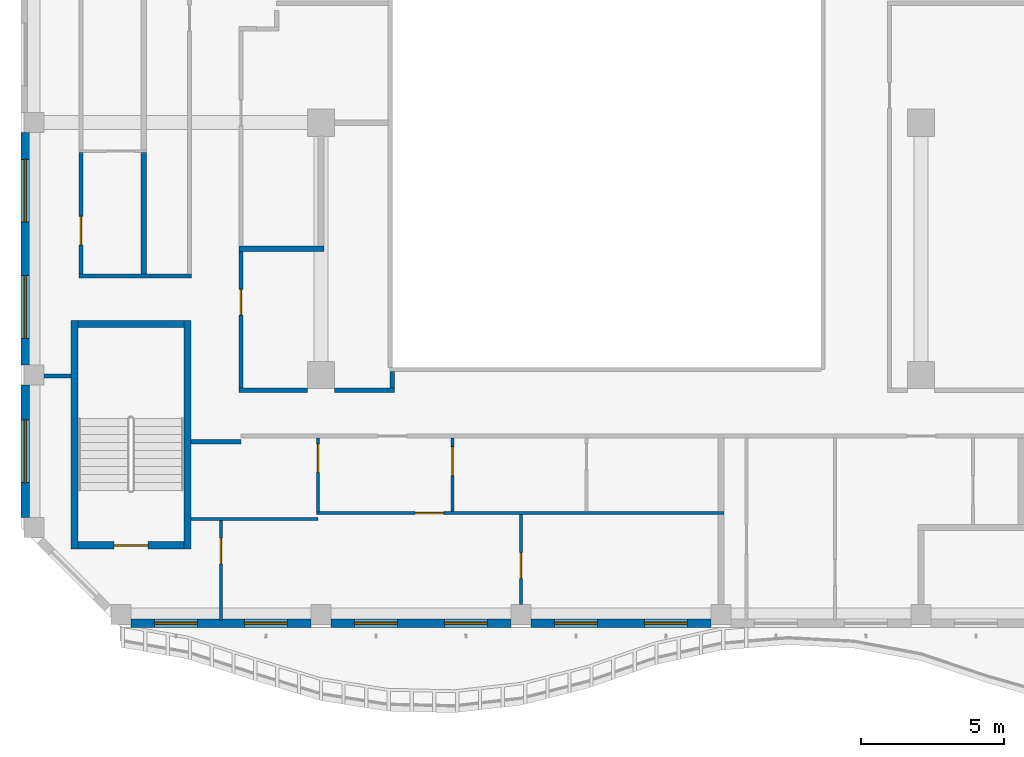
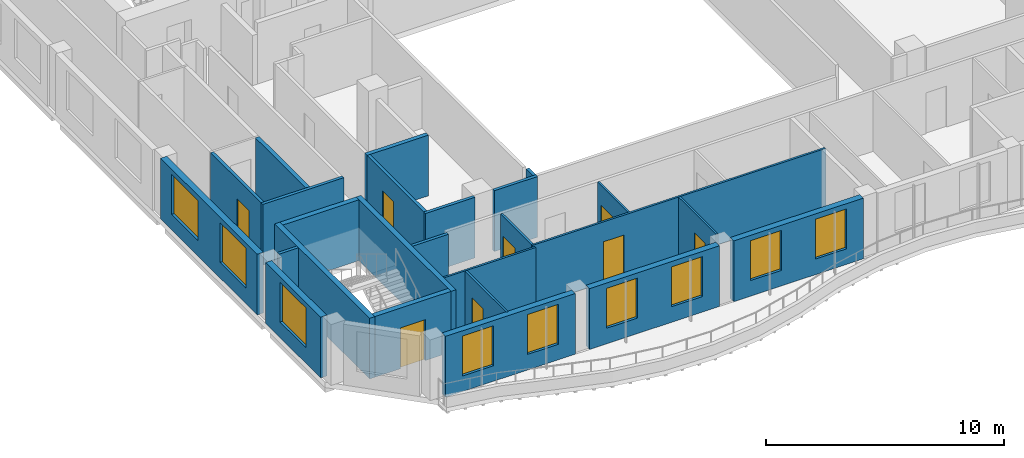
# One storey, part 2 of 19: 25 walls, 9 windows, 8 doors, 17 openings.
"""IFC4 building model written with IfcOpenShell, lengths in metres."""

from ifc_helpers import new_model, si_unit, direction, frame, frame_2d, origin, place, context, subcontext, project, spatial, rectangle, extrude, source, transform, mapped, material, layer, layer_set, type_object, element, fill, save


model = new_model("IFC4")

# Units and contexts
model_context = context("Model", 3, precision=1e-05, world=origin(), true_north=direction((0.0, 1.0)))
body_context = subcontext(model_context, "Body", "Model", "MODEL_VIEW")
ifc_project = project(units=[si_unit("LENGTHUNIT", "METRE"), si_unit("AREAUNIT", "SQUARE_METRE"), si_unit("VOLUMEUNIT", "CUBIC_METRE"), si_unit("PLANEANGLEUNIT", "RADIAN"), si_unit("MASSUNIT", "GRAM", prefix="KILO")], contexts=[model_context])

# Site, building, storey
site_placement = place(None, origin())
site = spatial("IfcSite", under=ifc_project, at=site_placement, CompositionType="ELEMENT")
building_placement = place(site_placement, origin())
building = spatial("IfcBuilding", under=site, at=building_placement, Name="Kilnfold Tower and Market Hall", CompositionType="ELEMENT")
storey_placement = place(building_placement, frame((0.0, 0.0, 242.39990234375)))
storey = spatial("IfcBuildingStorey", under=building, at=storey_placement, Name="L58", CompositionType="ELEMENT", Elevation=242.39990234375)

# Wall, opening, door
ifc_material_1 = material(Name="Gypsum board on steel studs", Category="steel")
ifc_layer_1 = layer(ifc_material_1, 0.14990234375)
ifc_layer_set_1 = layer_set([ifc_layer_1], Name="Gypsum board on steel studs")
wall_type_1 = type_object("IfcWallType", Name="WALL CORRIDOR 150", PredefinedType="PARTITIONING", material=ifc_layer_set_1)
wall_1_placement = place(storey_placement, frame((-17.39990234375, -6.125, 0.0), z_axis=(0.0, 0.0, 1.0), x_axis=(0.0, 1.0, 0.0)))
wall_1 = element("IfcWall", 1, at=wall_1_placement, inside=storey, type_object=wall_type_1, Name="Partition LY35.1", PredefinedType="PARTITIONING", context=body_context, shape_type="SweptSolid", body=[
    extrude(rectangle(XDim=4.25390625, YDim=0.14990234375, at=frame_2d((2.126953125, 0.0))), origin(), (0.0, 0.0, 1.0), 3.1201171875),
])
opening_1_placement = place(wall_1_placement, frame((1.014892578125, 0.0, 0.0)))
opening_1 = element("IfcOpeningElement", 2, at=opening_1_placement, cuts=wall_1, Name="Opening D1", PredefinedType="OPENING", context=body_context, shape_type="SweptSolid", body=[
    extrude(rectangle(XDim=1.0, YDim=2.10009765625, at=frame_2d((0.5, 1.050048828125))), frame((0.0, 0.0849609375, 0.0), z_axis=(0.0, -1.0, 0.0), x_axis=(1.0, 0.0, 0.0)), (0.0, 0.0, 1.0), 0.169921875),
])
ifc_material_2 = material(Name="Timber veneer door leaf in steel frame", Category="steel")
door_type_1 = type_object("IfcDoorType", Name="DOOR ENTRY 1000 X2100", OperationType="NOTDEFINED", PredefinedType="DOOR", material=ifc_material_2)
door_1_placement = place(opening_1_placement, origin())
door_1 = element("IfcDoor", 3, at=door_1_placement, inside=storey, type_object=door_type_1, Name="Door D1", OperationType="SINGLE_SWING_LEFT", OverallHeight=2.10009765625, OverallWidth=1.0, PredefinedType="DOOR", context=body_context, shape_type="SweptSolid", body=[
    extrude(rectangle(XDim=1.0, YDim=2.10009765625, at=frame_2d((0.5, 1.050048828125))), frame((0.0, 0.02490234375, 0.0), z_axis=(0.0, -1.0, 0.0), x_axis=(1.0, 0.0, 0.0)), (0.0, 0.0, 1.0), 0.050048828125),
])
fill(opening_1, door_1)

# Walls
wall_2_placement = place(storey_placement, frame((-17.47509765625, -6.199951171875, 0.0), z_axis=(0.0, 0.0, 1.0), x_axis=(1.0, 0.0, 0.0)))
element("IfcWall", 4, at=wall_2_placement, inside=storey, type_object=wall_type_1, Name="Partition LY35.2", PredefinedType="PARTITIONING", context=body_context, shape_type="SweptSolid", body=[
    extrude(rectangle(XDim=3.9501953125, YDim=0.14990234375, at=frame_2d((1.97509765625, 0.0))), origin(), (0.0, 0.0, 1.0), 3.1201171875),
])
wall_3_placement = place(storey_placement, frame((-13.550048828125, -12.0, 0.0), z_axis=(0.0, 0.0, 1.0), x_axis=(1.0, 0.0, 0.0)))
element("IfcWall", 5, at=wall_3_placement, inside=storey, type_object=wall_type_1, Name="Partition LY35.10", PredefinedType="PARTITIONING", context=body_context, shape_type="SweptSolid", body=[
    extrude(rectangle(XDim=1.75, YDim=0.14990234375, at=frame_2d((0.875, 0.0))), origin(), (0.0, 0.0, 1.0), 3.1201171875),
])
wall_4_placement = place(storey_placement, frame((-18.699951171875, -9.699951171875, 0.0), z_axis=(0.0, 0.0, 1.0), x_axis=(1.0, 0.0, 0.0)))
element("IfcWall", 6, at=wall_4_placement, inside=storey, type_object=wall_type_1, Name="Partition LY35.11", PredefinedType="PARTITIONING", context=body_context, shape_type="SweptSolid", body=[
    extrude(rectangle(XDim=0.949951171875, YDim=0.14990234375, at=frame_2d((0.47509765625, 0.0))), origin(), (0.0, 0.0, 1.0), 3.1201171875),
])

# Wall, opening, door
wall_5_placement = place(storey_placement, frame((-11.800048828125, -10.125, 0.0), z_axis=(0.0, 0.0, 1.0), x_axis=(0.0, 1.0, 0.0)))
wall_5 = element("IfcWall", 7, at=wall_5_placement, inside=storey, type_object=wall_type_1, Name="Partition LY35.36", PredefinedType="PARTITIONING", context=body_context, shape_type="SweptSolid", body=[
    extrude(rectangle(XDim=4.784912109375, YDim=0.14990234375, at=frame_2d((2.392578125, 0.0))), origin(), (0.0, 0.0, 1.0), 3.1201171875),
])
opening_2_placement = place(wall_5_placement, frame((2.55810546875, 0.0, 0.0)))
opening_2 = element("IfcOpeningElement", 8, at=opening_2_placement, cuts=wall_5, Name="Opening D2", PredefinedType="OPENING", context=body_context, shape_type="SweptSolid", body=[
    extrude(rectangle(XDim=0.89990234375, YDim=2.10009765625, at=frame_2d((0.449951171875, 1.050048828125))), frame((0.0, 0.0849609375, 0.0), z_axis=(0.0, -1.0, 0.0), x_axis=(1.0, 0.0, 0.0)), (0.0, 0.0, 1.0), 0.169921875),
])
ifc_material_3 = material(Name="Timber veneer door leaf in steel frame", Category="steel")
door_type_2 = type_object("IfcDoorType", Name="DOOR ROOM 900 X2100", OperationType="NOTDEFINED", PredefinedType="DOOR", material=ifc_material_3)
door_2_placement = place(opening_2_placement, origin())
door_2 = element("IfcDoor", 9, at=door_2_placement, inside=storey, type_object=door_type_2, Name="Door D2", OperationType="SINGLE_SWING_RIGHT", OverallHeight=2.10009765625, OverallWidth=0.89990234375, PredefinedType="DOOR", context=body_context, shape_type="SweptSolid", body=[
    extrude(rectangle(XDim=0.89990234375, YDim=2.10009765625, at=frame_2d((0.449951171875, 1.050048828125))), frame((0.0, 0.02490234375, 0.0), z_axis=(0.0, -1.0, 0.0), x_axis=(1.0, 0.0, 0.0)), (0.0, 0.0, 1.0), 0.050048828125),
])
fill(opening_2, door_2)

# Walls
wall_6_placement = place(storey_placement, frame((-8.52490234375, -10.199951171875, 0.0), z_axis=(0.0, 0.0, 1.0), x_axis=(1.0, 0.0, 0.0)))
element("IfcWall", 10, at=wall_6_placement, inside=storey, type_object=wall_type_1, Name="Partition LY35.37", PredefinedType="PARTITIONING", context=body_context, shape_type="SweptSolid", body=[
    extrude(rectangle(XDim=2.099853515625, YDim=0.14990234375, at=frame_2d((1.0498046875, 0.0))), origin(), (0.0, 0.0, 1.0), 3.1201171875),
])
wall_7_placement = place(storey_placement, frame((-11.875, -10.199951171875, 0.0), z_axis=(0.0, 0.0, 1.0), x_axis=(1.0, 0.0, 0.0)))
element("IfcWall", 11, at=wall_7_placement, inside=storey, type_object=wall_type_1, Name="Partition LY35.38", PredefinedType="PARTITIONING", context=body_context, shape_type="SweptSolid", body=[
    extrude(rectangle(XDim=2.39990234375, YDim=0.14990234375, at=frame_2d((1.199951171875, 0.0))), origin(), (0.0, 0.0, 1.0), 3.1201171875),
])
wall_8_placement = place(storey_placement, frame((-6.5, -9.550048828125, 0.0), z_axis=(0.0, 0.0, 1.0), x_axis=(0.0, -1.0, 0.0)))
element("IfcWall", 12, at=wall_8_placement, inside=storey, type_object=wall_type_1, Name="Partition LY35.39", PredefinedType="PARTITIONING", context=body_context, shape_type="SweptSolid", body=[
    extrude(rectangle(XDim=0.574951171875, YDim=0.14990234375, at=frame_2d((0.28759765625, 0.0))), origin(), (0.0, 0.0, 1.0), 3.1201171875),
])

# Wall, opening, door
ifc_material_4 = material(Name="Gypsum board on steel studs", Category="steel")
ifc_layer_2 = layer(ifc_material_4, 0.10009765625)
ifc_layer_set_2 = layer_set([ifc_layer_2], Name="Gypsum board on steel studs")
wall_type_2 = type_object("IfcWallType", Name="WALL PARTITION 100", PredefinedType="PARTITIONING", material=ifc_layer_set_2)
wall_9_placement = place(storey_placement, frame((-9.10009765625, -14.4599609375, 0.0), z_axis=(0.0, 0.0, 1.0), x_axis=(0.0, 1.0, 0.0)))
wall_9 = element("IfcWall", 13, at=wall_9_placement, inside=storey, type_object=wall_type_2, Name="Partition LY35.54", PredefinedType="PARTITIONING", context=body_context, shape_type="SweptSolid", body=[
    extrude(rectangle(XDim=2.5830078125, YDim=0.10009765625, at=frame_2d((1.29150390625, 0.0))), origin(), (0.0, 0.0, 1.0), 3.1201171875),
])
opening_3_placement = place(wall_9_placement, frame((1.383056640625, 0.0, 0.0)))
opening_3 = element("IfcOpeningElement", 14, at=opening_3_placement, cuts=wall_9, Name="Opening D1", PredefinedType="OPENING", context=body_context, shape_type="SweptSolid", body=[
    extrude(rectangle(XDim=1.0, YDim=2.10009765625, at=frame_2d((0.5, 1.050048828125))), frame((0.0, 0.06005859375, 0.0), z_axis=(0.0, -1.0, 0.0), x_axis=(1.0, 0.0, 0.0)), (0.0, 0.0, 1.0), 0.1201171875),
])
door_3_placement = place(opening_3_placement, origin())
door_3 = element("IfcDoor", 15, at=door_3_placement, inside=storey, type_object=door_type_1, Name="Door D1", OperationType="SINGLE_SWING_LEFT", OverallHeight=2.10009765625, OverallWidth=1.0, PredefinedType="DOOR", context=body_context, shape_type="SweptSolid", body=[
    extrude(rectangle(XDim=1.0, YDim=2.10009765625, at=frame_2d((0.5, 1.050048828125))), frame((0.0, 0.02490234375, 0.0), z_axis=(0.0, -1.0, 0.0), x_axis=(1.0, 0.0, 0.0)), (0.0, 0.0, 1.0), 0.050048828125),
])
fill(opening_3, door_3)

# Wall
wall_10_placement = place(storey_placement, frame((-13.550048828125, -14.699951171875, 0.0), z_axis=(0.0, 0.0, 1.0), x_axis=(1.0, 0.0, 0.0)))
element("IfcWall", 16, at=wall_10_placement, inside=storey, type_object=wall_type_2, Name="Partition LY35.55", PredefinedType="PARTITIONING", context=body_context, shape_type="SweptSolid", body=[
    extrude(rectangle(XDim=4.449951171875, YDim=0.10009765625, at=frame_2d((2.22509765625, 0.0))), origin(), (0.0, 0.0, 1.0), 3.1201171875),
])

# Wall, opening, door
wall_11_placement = place(storey_placement, frame((-4.39990234375, -14.449951171875, 0.0), z_axis=(0.0, 0.0, 1.0), x_axis=(0.0, 1.0, 0.0)))
wall_11 = element("IfcWall", 17, at=wall_11_placement, inside=storey, type_object=wall_type_2, Name="Partition LY35.56", PredefinedType="PARTITIONING", context=body_context, shape_type="SweptSolid", body=[
    extrude(rectangle(XDim=2.572998046875, YDim=0.10009765625, at=frame_2d((1.28662109375, 0.0))), origin(), (0.0, 0.0, 1.0), 3.1201171875),
])
opening_4_placement = place(wall_11_placement, frame((1.26611328125, 0.0, 0.0)))
opening_4 = element("IfcOpeningElement", 18, at=opening_4_placement, cuts=wall_11, Name="Opening D1", PredefinedType="OPENING", context=body_context, shape_type="SweptSolid", body=[
    extrude(rectangle(XDim=1.0, YDim=2.10009765625, at=frame_2d((0.5, 1.050048828125))), frame((0.0, 0.06005859375, 0.0), z_axis=(0.0, -1.0, 0.0), x_axis=(1.0, 0.0, 0.0)), (0.0, 0.0, 1.0), 0.1201171875),
])
door_4_placement = place(opening_4_placement, origin())
door_4 = element("IfcDoor", 19, at=door_4_placement, inside=storey, type_object=door_type_1, Name="Door D1", OperationType="SINGLE_SWING_LEFT", OverallHeight=2.10009765625, OverallWidth=1.0, PredefinedType="DOOR", context=body_context, shape_type="SweptSolid", body=[
    extrude(rectangle(XDim=1.0, YDim=2.10009765625, at=frame_2d((0.5, 1.050048828125))), frame((0.0, 0.02490234375, 0.0), z_axis=(0.0, -1.0, 0.0), x_axis=(1.0, 0.0, 0.0)), (0.0, 0.0, 1.0), 0.050048828125),
])
fill(opening_4, door_4)

wall_12_placement = place(storey_placement, frame((-9.14990234375, -14.5, 0.0), z_axis=(0.0, 0.0, 1.0), x_axis=(1.0, 0.0, 0.0)))
wall_12 = element("IfcWall", 20, at=wall_12_placement, inside=storey, type_object=wall_type_2, Name="Partition LY35.57", PredefinedType="PARTITIONING", context=body_context, shape_type="SweptSolid", body=[
    extrude(rectangle(XDim=14.25, YDim=0.10009765625, at=frame_2d((7.125, 0.0))), origin(), (0.0, 0.0, 1.0), 3.1201171875),
])
opening_5_placement = place(wall_12_placement, frame((3.447998046875, 0.0, 0.0)))
opening_5 = element("IfcOpeningElement", 21, at=opening_5_placement, cuts=wall_12, Name="Opening D1", PredefinedType="OPENING", context=body_context, shape_type="SweptSolid", body=[
    extrude(rectangle(XDim=1.0, YDim=2.10009765625, at=frame_2d((0.5, 1.050048828125))), frame((0.0, 0.06005859375, 0.0), z_axis=(0.0, -1.0, 0.0), x_axis=(1.0, 0.0, 0.0)), (0.0, 0.0, 1.0), 0.1201171875),
])
door_5_placement = place(opening_5_placement, origin())
door_5 = element("IfcDoor", 22, at=door_5_placement, inside=storey, type_object=door_type_1, Name="Door D1", OperationType="SINGLE_SWING_LEFT", OverallHeight=2.10009765625, OverallWidth=1.0, PredefinedType="DOOR", context=body_context, shape_type="SweptSolid", body=[
    extrude(rectangle(XDim=1.0, YDim=2.10009765625, at=frame_2d((0.5, 1.050048828125))), frame((0.0, 0.02490234375, 0.0), z_axis=(0.0, -1.0, 0.0), x_axis=(1.0, 0.0, 0.0)), (0.0, 0.0, 1.0), 0.050048828125),
])
fill(opening_5, door_5)

wall_13_placement = place(storey_placement, frame((-12.5, -18.25, 0.0), z_axis=(0.0, 0.0, 1.0), x_axis=(0.0, 1.0, 0.0)))
wall_13 = element("IfcWall", 23, at=wall_13_placement, inside=storey, type_object=wall_type_2, Name="Partition LY35.60", PredefinedType="PARTITIONING", context=body_context, shape_type="SweptSolid", body=[
    extrude(rectangle(XDim=3.498046875, YDim=0.10009765625, at=frame_2d((1.7490234375, 0.0))), origin(), (0.0, 0.0, 1.0), 3.1201171875),
])
opening_6_placement = place(wall_13_placement, frame((1.97900390625, 0.0, 0.0)))
opening_6 = element("IfcOpeningElement", 24, at=opening_6_placement, cuts=wall_13, Name="Opening D2", PredefinedType="OPENING", context=body_context, shape_type="SweptSolid", body=[
    extrude(rectangle(XDim=0.89990234375, YDim=2.10009765625, at=frame_2d((0.449951171875, 1.050048828125))), frame((0.0, 0.06005859375, 0.0), z_axis=(0.0, -1.0, 0.0), x_axis=(1.0, 0.0, 0.0)), (0.0, 0.0, 1.0), 0.1201171875),
])
door_6_placement = place(opening_6_placement, origin())
door_6 = element("IfcDoor", 25, at=door_6_placement, inside=storey, type_object=door_type_2, Name="Door D2", OperationType="SINGLE_SWING_LEFT", OverallHeight=2.10009765625, OverallWidth=0.89990234375, PredefinedType="DOOR", context=body_context, shape_type="SweptSolid", body=[
    extrude(rectangle(XDim=0.89990234375, YDim=2.10009765625, at=frame_2d((0.449951171875, 1.050048828125))), frame((0.0, 0.02490234375, 0.0), z_axis=(0.0, -1.0, 0.0), x_axis=(1.0, 0.0, 0.0)), (0.0, 0.0, 1.0), 0.050048828125),
])
fill(opening_6, door_6)

wall_14_placement = place(storey_placement, frame((-2.0, -17.699951171875, 0.0), z_axis=(0.0, 0.0, 1.0), x_axis=(0.0, 1.0, 0.0)))
wall_14 = element("IfcWall", 26, at=wall_14_placement, inside=storey, type_object=wall_type_2, Name="Partition LY35.61", PredefinedType="PARTITIONING", context=body_context, shape_type="SweptSolid", body=[
    extrude(rectangle(XDim=3.14794921875, YDim=0.10009765625, at=frame_2d((1.573974609375, 0.0))), origin(), (0.0, 0.0, 1.0), 3.1201171875),
])
opening_7_placement = place(wall_14_placement, frame((0.9189453125, 0.0, 0.0)))
opening_7 = element("IfcOpeningElement", 27, at=opening_7_placement, cuts=wall_14, Name="Opening D2", PredefinedType="OPENING", context=body_context, shape_type="SweptSolid", body=[
    extrude(rectangle(XDim=0.89990234375, YDim=2.10009765625, at=frame_2d((0.449951171875, 1.050048828125))), frame((0.0, 0.06005859375, 0.0), z_axis=(0.0, -1.0, 0.0), x_axis=(1.0, 0.0, 0.0)), (0.0, 0.0, 1.0), 0.1201171875),
])
door_7_placement = place(opening_7_placement, origin())
door_7 = element("IfcDoor", 28, at=door_7_placement, inside=storey, type_object=door_type_2, Name="Door D2", OperationType="SINGLE_SWING_RIGHT", OverallHeight=2.10009765625, OverallWidth=0.89990234375, PredefinedType="DOOR", context=body_context, shape_type="SweptSolid", body=[
    extrude(rectangle(XDim=0.89990234375, YDim=2.10009765625, at=frame_2d((0.449951171875, 1.050048828125))), frame((0.0, 0.02490234375, 0.0), z_axis=(0.0, -1.0, 0.0), x_axis=(1.0, 0.0, 0.0)), (0.0, 0.0, 1.0), 0.050048828125),
])
fill(opening_7, door_7)

# Walls
ifc_material_5 = material(Name="Gypsum board on steel studs", Category="steel")
ifc_layer_3 = layer(ifc_material_5, 0.199951171875)
ifc_layer_set_3 = layer_set([ifc_layer_3], Name="Gypsum board on steel studs")
wall_type_3 = type_object("IfcWallType", Name="WALL PARTY 200", PredefinedType="PARTITIONING", material=ifc_layer_set_3)
wall_15_placement = place(storey_placement, frame((-15.199951171875, -6.123046875, 0.0), z_axis=(0.0, 0.0, 1.0), x_axis=(0.0, 1.0, 0.0)))
element("IfcWall", 29, at=wall_15_placement, inside=storey, type_object=wall_type_3, Name="Partition LY35.49", PredefinedType="PARTITIONING", context=body_context, shape_type="SweptSolid", body=[
    extrude(rectangle(XDim=4.241943359375, YDim=0.199951171875, at=frame_2d((2.12109375, 0.0))), origin(), (0.0, 0.0, 1.0), 3.1201171875),
])
wall_16_placement = place(storey_placement, frame((-11.873046875, -5.25, 0.0), z_axis=(0.0, 0.0, 1.0), x_axis=(1.0, 0.0, 0.0)))
element("IfcWall", 30, at=wall_16_placement, inside=storey, type_object=wall_type_3, Name="Partition LY35.107", PredefinedType="PARTITIONING", context=body_context, shape_type="SweptSolid", body=[
    extrude(rectangle(XDim=2.97314453125, YDim=0.199951171875, at=frame_2d((1.486572265625, 0.0))), origin(), (0.0, 0.0, 1.0), 3.1201171875),
])

# Wall, opening, door
ifc_material_6 = material(Name="Concrete C60", Category="concrete")
ifc_layer_4 = layer(ifc_material_6, 0.25)
ifc_layer_set_4 = layer_set([ifc_layer_4], Name="Concrete C60")
wall_type_4 = type_object("IfcWallType", Name="CORE WALL 250 C60", PredefinedType="SHEAR", material=ifc_layer_set_4)
shared_shape_1 = source(origin(), body_context, "Body", "SweptSolid", [
    extrude(rectangle(XDim=3.699951171875, YDim=0.25, at=frame_2d((1.85009765625, 0.0))), origin(), (0.0, 0.0, 1.0), 3.1201171875),
])
wall_17_placement = place(storey_placement, frame((-17.5, -15.625, 0.0), z_axis=(0.0, 0.0, 1.0), x_axis=(1.0, 0.0, 0.0)))
wall_17 = element("IfcWall", 31, at=wall_17_placement, inside=storey, type_object=wall_type_4, Name="Stair enclosure ST3", PredefinedType="SHEAR", context=body_context, shape_type="MappedRepresentation", body=[
    mapped(shared_shape_1, transform((0.0, 0.0, 0.0))),
])
opening_8_placement = place(wall_17_placement, frame((1.25, 0.0, 0.0)))
opening_8 = element("IfcOpeningElement", 32, at=opening_8_placement, cuts=wall_17, Name="Opening SD1", PredefinedType="OPENING", context=body_context, shape_type="SweptSolid", body=[
    extrude(rectangle(XDim=1.199951171875, YDim=2.10009765625, at=frame_2d((0.60009765625, 1.050048828125))), frame((0.0, 0.135009765625, 0.0), z_axis=(0.0, -1.0, 0.0), x_axis=(1.0, 0.0, 0.0)), (0.0, 0.0, 1.0), 0.27001953125),
])
ifc_material_7 = material(Name="Steel door set with fire-resisting leaf", Category="steel")
door_type_3 = type_object("IfcDoorType", Name="STAIR FLOOR DOOR 1200X2100", OperationType="NOTDEFINED", PredefinedType="DOOR", material=ifc_material_7)
door_8_placement = place(opening_8_placement, origin())
door_8 = element("IfcDoor", 33, at=door_8_placement, inside=storey, type_object=door_type_3, Name="Exit stair ST3 door", OperationType="DOUBLE_DOOR_SINGLE_SWING", OverallHeight=2.10009765625, OverallWidth=1.199951171875, PredefinedType="DOOR", context=body_context, shape_type="SweptSolid", body=[
    extrude(rectangle(XDim=1.199951171875, YDim=2.10009765625, at=frame_2d((0.60009765625, 1.050048828125))), frame((0.0, 0.02490234375, 0.0), z_axis=(0.0, -1.0, 0.0), x_axis=(1.0, 0.0, 0.0)), (0.0, 0.0, 1.0), 0.050048828125),
])
fill(opening_8, door_8)

# Walls
wall_18_placement = place(storey_placement, frame((-17.5, -7.875, 0.0), z_axis=(0.0, 0.0, 1.0), x_axis=(1.0, 0.0, 0.0)))
element("IfcWall", 34, at=wall_18_placement, inside=storey, type_object=wall_type_4, Name="Stair enclosure ST3", PredefinedType="SHEAR", context=body_context, shape_type="MappedRepresentation", body=[
    mapped(shared_shape_1, transform((0.0, 0.0, 0.0))),
])
shared_shape_2 = source(origin(), body_context, "Body", "SweptSolid", [
    extrude(rectangle(XDim=8.0, YDim=0.25, at=frame_2d((4.0, 0.0))), origin(), (0.0, 0.0, 1.0), 3.1201171875),
])
for number, where, z_axis, x_axis, name in (
    (35, (-17.625, -15.75, 0.0), (0.0, 0.0, 1.0), (0.0, 1.0, 0.0), "Stair enclosure ST3"),
    (36, (-13.675048828125, -15.75, 0.0), (0.0, 0.0, 1.0), (0.0, 1.0, 0.0), "Stair enclosure ST3"),
):
    element("IfcWall", number, at=place(storey_placement, frame(where, z_axis=z_axis, x_axis=x_axis)), inside=storey, type_object=wall_type_4, Name=name, PredefinedType="SHEAR", context=body_context, shape_type="MappedRepresentation", body=[
        mapped(shared_shape_2, transform((0.0, 0.0, 0.0))),
    ])

# Wall, openings, windows
ifc_material_8 = material(Name="Precast concrete C50/60", Category="concrete")
ifc_layer_5 = layer(ifc_material_8, 0.300048828125)
ifc_layer_set_5 = layer_set([ifc_layer_5], Name="Precast concrete C50/60")
wall_type_5 = type_object("IfcWallType", Name="PRECAST WALL 300", PredefinedType="SOLIDWALL", material=ifc_layer_set_5)
shared_shape_3 = source(origin(), body_context, "Body", "SweptSolid", [
    extrude(rectangle(XDim=6.2998046875, YDim=0.300048828125, at=frame_2d((3.14990234375, 0.0))), origin(), (0.0, 0.0, 1.0), 3.1201171875),
])
wall_19_placement = place(storey_placement, frame((-15.64990234375, -18.35009765625, 0.0), z_axis=(0.0, 0.0, 1.0), x_axis=(1.0, 0.0, 0.0)))
wall_19 = element("IfcWall", 37, at=wall_19_placement, inside=storey, type_object=wall_type_5, Name="External wall L58 S", PredefinedType="SOLIDWALL", context=body_context, shape_type="MappedRepresentation", body=[
    mapped(shared_shape_3, transform((0.0, 0.0, 0.0))),
])
opening_9_placement = place(wall_19_placement, frame((0.824951171875, 0.0, 0.800048828125)))
opening_9 = element("IfcOpeningElement", 38, at=opening_9_placement, cuts=wall_19, Name="Opening W5", PredefinedType="OPENING", context=body_context, shape_type="SweptSolid", body=[
    extrude(rectangle(XDim=1.5, YDim=2.050048828125, at=frame_2d((0.75, 1.02490234375))), frame((0.0, 0.16015625, 0.0), z_axis=(0.0, -1.0, 0.0), x_axis=(1.0, 0.0, 0.0)), (0.0, 0.0, 1.0), 0.320068359375),
])
opening_10_placement = place(wall_19_placement, frame((3.97509765625, 0.0, 0.800048828125)))
opening_10 = element("IfcOpeningElement", 39, at=opening_10_placement, cuts=wall_19, Name="Opening W5", PredefinedType="OPENING", context=body_context, shape_type="SweptSolid", body=[
    extrude(rectangle(XDim=1.5, YDim=2.050048828125, at=frame_2d((0.75, 1.02490234375))), frame((0.0, 0.16015625, 0.0), z_axis=(0.0, -1.0, 0.0), x_axis=(1.0, 0.0, 0.0)), (0.0, 0.0, 1.0), 0.320068359375),
])
ifc_material_9 = material(Name="Aluminium frame and double glazing", Category="aluminium")
window_type_1 = type_object("IfcWindowType", Name="WINDOW W5 1500X2050", PartitioningType="SINGLE_PANEL", PredefinedType="WINDOW", material=ifc_material_9)
window_1_placement = place(opening_9_placement, origin())
window_1 = element("IfcWindow", 40, at=window_1_placement, inside=storey, type_object=window_type_1, Name="Window W5 L58 S-1", OverallHeight=2.050048828125, OverallWidth=1.5, PartitioningType="SINGLE_PANEL", PredefinedType="WINDOW", context=body_context, shape_type="SweptSolid", body=[
    extrude(rectangle(XDim=1.5, YDim=2.050048828125, at=frame_2d((0.75, 1.02490234375))), frame((0.0, 0.030029296875, 0.0), z_axis=(0.0, -1.0, 0.0), x_axis=(1.0, 0.0, 0.0)), (0.0, 0.0, 1.0), 0.06005859375),
])
fill(opening_9, window_1)
window_2_placement = place(opening_10_placement, origin())
window_2 = element("IfcWindow", 41, at=window_2_placement, inside=storey, type_object=window_type_1, Name="Window W5 L58 S-2", OverallHeight=2.050048828125, OverallWidth=1.5, PartitioningType="SINGLE_PANEL", PredefinedType="WINDOW", context=body_context, shape_type="SweptSolid", body=[
    extrude(rectangle(XDim=1.5, YDim=2.050048828125, at=frame_2d((0.75, 1.02490234375))), frame((0.0, 0.030029296875, 0.0), z_axis=(0.0, -1.0, 0.0), x_axis=(1.0, 0.0, 0.0)), (0.0, 0.0, 1.0), 0.06005859375),
])
fill(opening_10, window_2)

wall_20_placement = place(storey_placement, frame((-8.64990234375, -18.35009765625, 0.0), z_axis=(0.0, 0.0, 1.0), x_axis=(1.0, 0.0, 0.0)))
wall_20 = element("IfcWall", 42, at=wall_20_placement, inside=storey, type_object=wall_type_5, Name="External wall L58 S", PredefinedType="SOLIDWALL", context=body_context, shape_type="MappedRepresentation", body=[
    mapped(shared_shape_3, transform((0.0, 0.0, 0.0))),
])
opening_11_placement = place(wall_20_placement, frame((0.824951171875, 0.0, 0.800048828125)))
opening_11 = element("IfcOpeningElement", 43, at=opening_11_placement, cuts=wall_20, Name="Opening W5", PredefinedType="OPENING", context=body_context, shape_type="SweptSolid", body=[
    extrude(rectangle(XDim=1.5, YDim=2.050048828125, at=frame_2d((0.75, 1.02490234375))), frame((0.0, 0.16015625, 0.0), z_axis=(0.0, -1.0, 0.0), x_axis=(1.0, 0.0, 0.0)), (0.0, 0.0, 1.0), 0.320068359375),
])
opening_12_placement = place(wall_20_placement, frame((3.97509765625, 0.0, 0.800048828125)))
opening_12 = element("IfcOpeningElement", 44, at=opening_12_placement, cuts=wall_20, Name="Opening W5", PredefinedType="OPENING", context=body_context, shape_type="SweptSolid", body=[
    extrude(rectangle(XDim=1.5, YDim=2.050048828125, at=frame_2d((0.75, 1.02490234375))), frame((0.0, 0.16015625, 0.0), z_axis=(0.0, -1.0, 0.0), x_axis=(1.0, 0.0, 0.0)), (0.0, 0.0, 1.0), 0.320068359375),
])
window_3_placement = place(opening_11_placement, origin())
window_3 = element("IfcWindow", 45, at=window_3_placement, inside=storey, type_object=window_type_1, Name="Window W5 L58 S-1", OverallHeight=2.050048828125, OverallWidth=1.5, PartitioningType="SINGLE_PANEL", PredefinedType="WINDOW", context=body_context, shape_type="SweptSolid", body=[
    extrude(rectangle(XDim=1.5, YDim=2.050048828125, at=frame_2d((0.75, 1.02490234375))), frame((0.0, 0.030029296875, 0.0), z_axis=(0.0, -1.0, 0.0), x_axis=(1.0, 0.0, 0.0)), (0.0, 0.0, 1.0), 0.06005859375),
])
fill(opening_11, window_3)
window_4_placement = place(opening_12_placement, origin())
window_4 = element("IfcWindow", 46, at=window_4_placement, inside=storey, type_object=window_type_1, Name="Window W5 L58 S-2", OverallHeight=2.050048828125, OverallWidth=1.5, PartitioningType="SINGLE_PANEL", PredefinedType="WINDOW", context=body_context, shape_type="SweptSolid", body=[
    extrude(rectangle(XDim=1.5, YDim=2.050048828125, at=frame_2d((0.75, 1.02490234375))), frame((0.0, 0.030029296875, 0.0), z_axis=(0.0, -1.0, 0.0), x_axis=(1.0, 0.0, 0.0)), (0.0, 0.0, 1.0), 0.06005859375),
])
fill(opening_12, window_4)

wall_21_placement = place(storey_placement, frame((-1.64990234375, -18.35009765625, 0.0), z_axis=(0.0, 0.0, 1.0), x_axis=(1.0, 0.0, 0.0)))
wall_21 = element("IfcWall", 47, at=wall_21_placement, inside=storey, type_object=wall_type_5, Name="External wall L58 S", PredefinedType="SOLIDWALL", context=body_context, shape_type="MappedRepresentation", body=[
    mapped(shared_shape_3, transform((0.0, 0.0, 0.0))),
])
opening_13_placement = place(wall_21_placement, frame((0.824951171875, 0.0, 0.800048828125)))
opening_13 = element("IfcOpeningElement", 48, at=opening_13_placement, cuts=wall_21, Name="Opening W5", PredefinedType="OPENING", context=body_context, shape_type="SweptSolid", body=[
    extrude(rectangle(XDim=1.5, YDim=2.050048828125, at=frame_2d((0.75, 1.02490234375))), frame((0.0, 0.16015625, 0.0), z_axis=(0.0, -1.0, 0.0), x_axis=(1.0, 0.0, 0.0)), (0.0, 0.0, 1.0), 0.320068359375),
])
opening_14_placement = place(wall_21_placement, frame((3.97509765625, 0.0, 0.800048828125)))
opening_14 = element("IfcOpeningElement", 49, at=opening_14_placement, cuts=wall_21, Name="Opening W5", PredefinedType="OPENING", context=body_context, shape_type="SweptSolid", body=[
    extrude(rectangle(XDim=1.5, YDim=2.050048828125, at=frame_2d((0.75, 1.02490234375))), frame((0.0, 0.16015625, 0.0), z_axis=(0.0, -1.0, 0.0), x_axis=(1.0, 0.0, 0.0)), (0.0, 0.0, 1.0), 0.320068359375),
])
window_5_placement = place(opening_13_placement, origin())
window_5 = element("IfcWindow", 50, at=window_5_placement, inside=storey, type_object=window_type_1, Name="Window W5 L58 S-1", OverallHeight=2.050048828125, OverallWidth=1.5, PartitioningType="SINGLE_PANEL", PredefinedType="WINDOW", context=body_context, shape_type="SweptSolid", body=[
    extrude(rectangle(XDim=1.5, YDim=2.050048828125, at=frame_2d((0.75, 1.02490234375))), frame((0.0, 0.030029296875, 0.0), z_axis=(0.0, -1.0, 0.0), x_axis=(1.0, 0.0, 0.0)), (0.0, 0.0, 1.0), 0.06005859375),
])
fill(opening_13, window_5)
window_6_placement = place(opening_14_placement, origin())
window_6 = element("IfcWindow", 51, at=window_6_placement, inside=storey, type_object=window_type_1, Name="Window W5 L58 S-2", OverallHeight=2.050048828125, OverallWidth=1.5, PartitioningType="SINGLE_PANEL", PredefinedType="WINDOW", context=body_context, shape_type="SweptSolid", body=[
    extrude(rectangle(XDim=1.5, YDim=2.050048828125, at=frame_2d((0.75, 1.02490234375))), frame((0.0, 0.030029296875, 0.0), z_axis=(0.0, -1.0, 0.0), x_axis=(1.0, 0.0, 0.0)), (0.0, 0.0, 1.0), 0.06005859375),
])
fill(opening_14, window_6)

shared_shape_4 = source(origin(), body_context, "Body", "SweptSolid", [
    extrude(rectangle(XDim=8.13330078125, YDim=0.300048828125, at=frame_2d((4.066650390625, 0.0))), origin(), (0.0, 0.0, 1.0), 3.1201171875),
])
wall_22_placement = place(storey_placement, frame((-19.35009765625, -1.183349609375, 0.0), z_axis=(0.0, 0.0, 1.0), x_axis=(0.0, -1.0, 0.0)))
wall_22 = element("IfcWall", 52, at=wall_22_placement, inside=storey, type_object=wall_type_5, Name="External wall L58 W", PredefinedType="SOLIDWALL", context=body_context, shape_type="MappedRepresentation", body=[
    mapped(shared_shape_4, transform((0.0, 0.0, 0.0))),
])
opening_15_placement = place(wall_22_placement, frame((0.933349609375, 0.0, 0.800048828125)))
opening_15 = element("IfcOpeningElement", 53, at=opening_15_placement, cuts=wall_22, Name="Opening W3", PredefinedType="OPENING", context=body_context, shape_type="SweptSolid", body=[
    extrude(rectangle(XDim=2.199951171875, YDim=2.050048828125, at=frame_2d((1.10009765625, 1.02490234375))), frame((0.0, 0.16015625, 0.0), z_axis=(0.0, -1.0, 0.0), x_axis=(1.0, 0.0, 0.0)), (0.0, 0.0, 1.0), 0.320068359375),
])
opening_16_placement = place(wall_22_placement, frame((5.0, 0.0, 0.800048828125)))
opening_16 = element("IfcOpeningElement", 54, at=opening_16_placement, cuts=wall_22, Name="Opening W3", PredefinedType="OPENING", context=body_context, shape_type="SweptSolid", body=[
    extrude(rectangle(XDim=2.199951171875, YDim=2.050048828125, at=frame_2d((1.10009765625, 1.02490234375))), frame((0.0, 0.16015625, 0.0), z_axis=(0.0, -1.0, 0.0), x_axis=(1.0, 0.0, 0.0)), (0.0, 0.0, 1.0), 0.320068359375),
])
ifc_material_10 = material(Name="Aluminium frame and double glazing", Category="aluminium")
window_type_2 = type_object("IfcWindowType", Name="WINDOW W3 2200X2050", PartitioningType="SINGLE_PANEL", PredefinedType="WINDOW", material=ifc_material_10)
window_7_placement = place(opening_15_placement, origin())
window_7 = element("IfcWindow", 55, at=window_7_placement, inside=storey, type_object=window_type_2, Name="Window W3 L58 W-1", OverallHeight=2.050048828125, OverallWidth=2.199951171875, PartitioningType="SINGLE_PANEL", PredefinedType="WINDOW", context=body_context, shape_type="SweptSolid", body=[
    extrude(rectangle(XDim=2.199951171875, YDim=2.050048828125, at=frame_2d((1.10009765625, 1.02490234375))), frame((0.0, 0.030029296875, 0.0), z_axis=(0.0, -1.0, 0.0), x_axis=(1.0, 0.0, 0.0)), (0.0, 0.0, 1.0), 0.06005859375),
])
fill(opening_15, window_7)
window_8_placement = place(opening_16_placement, origin())
window_8 = element("IfcWindow", 56, at=window_8_placement, inside=storey, type_object=window_type_2, Name="Window W3 L58 W-2", OverallHeight=2.050048828125, OverallWidth=2.199951171875, PartitioningType="SINGLE_PANEL", PredefinedType="WINDOW", context=body_context, shape_type="SweptSolid", body=[
    extrude(rectangle(XDim=2.199951171875, YDim=2.050048828125, at=frame_2d((1.10009765625, 1.02490234375))), frame((0.0, 0.030029296875, 0.0), z_axis=(0.0, -1.0, 0.0), x_axis=(1.0, 0.0, 0.0)), (0.0, 0.0, 1.0), 0.06005859375),
])
fill(opening_16, window_8)

# Wall, opening, window
shared_shape_5 = source(origin(), body_context, "Body", "SweptSolid", [
    extrude(rectangle(XDim=4.63330078125, YDim=0.300048828125, at=frame_2d((2.316650390625, 0.0))), origin(), (0.0, 0.0, 1.0), 3.1201171875),
])
wall_23_placement = place(storey_placement, frame((-19.35009765625, -10.0166015625, 0.0), z_axis=(0.0, 0.0, 1.0), x_axis=(0.0, -1.0, 0.0)))
wall_23 = element("IfcWall", 57, at=wall_23_placement, inside=storey, type_object=wall_type_5, Name="External wall L58 W", PredefinedType="SOLIDWALL", context=body_context, shape_type="MappedRepresentation", body=[
    mapped(shared_shape_5, transform((0.0, 0.0, 0.0))),
])
opening_17_placement = place(wall_23_placement, frame((1.216552734375, 0.0, 0.800048828125)))
opening_17 = element("IfcOpeningElement", 58, at=opening_17_placement, cuts=wall_23, Name="Opening W3", PredefinedType="OPENING", context=body_context, shape_type="SweptSolid", body=[
    extrude(rectangle(XDim=2.199951171875, YDim=2.050048828125, at=frame_2d((1.10009765625, 1.02490234375))), frame((0.0, 0.16015625, 0.0), z_axis=(0.0, -1.0, 0.0), x_axis=(1.0, 0.0, 0.0)), (0.0, 0.0, 1.0), 0.320068359375),
])
window_9_placement = place(opening_17_placement, origin())
window_9 = element("IfcWindow", 59, at=window_9_placement, inside=storey, type_object=window_type_2, Name="Window W3 L58 W-1", OverallHeight=2.050048828125, OverallWidth=2.199951171875, PartitioningType="SINGLE_PANEL", PredefinedType="WINDOW", context=body_context, shape_type="SweptSolid", body=[
    extrude(rectangle(XDim=2.199951171875, YDim=2.050048828125, at=frame_2d((1.10009765625, 1.02490234375))), frame((0.0, 0.030029296875, 0.0), z_axis=(0.0, -1.0, 0.0), x_axis=(1.0, 0.0, 0.0)), (0.0, 0.0, 1.0), 0.06005859375),
])
fill(opening_17, window_9)

save(model, "model.ifc")
